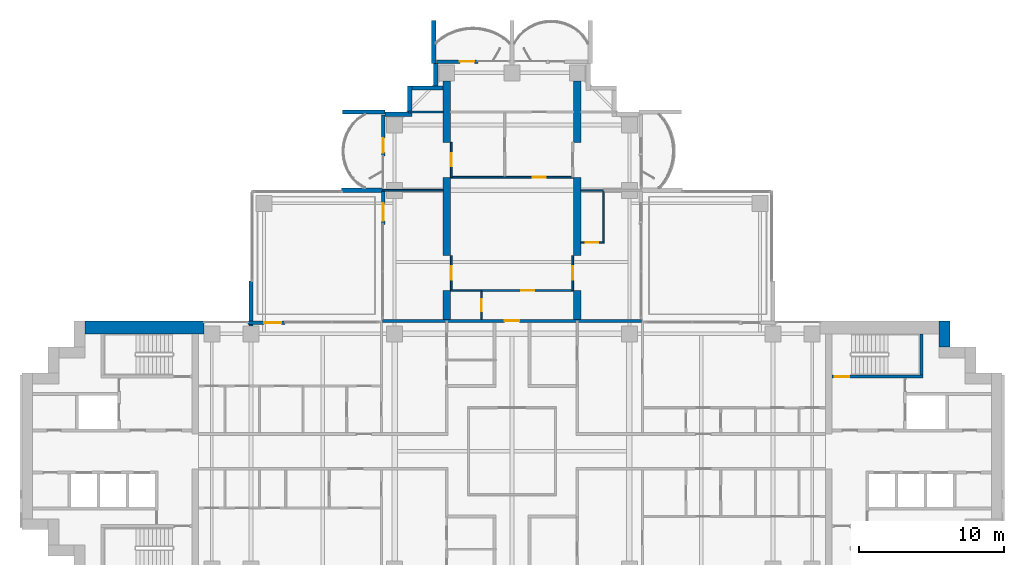
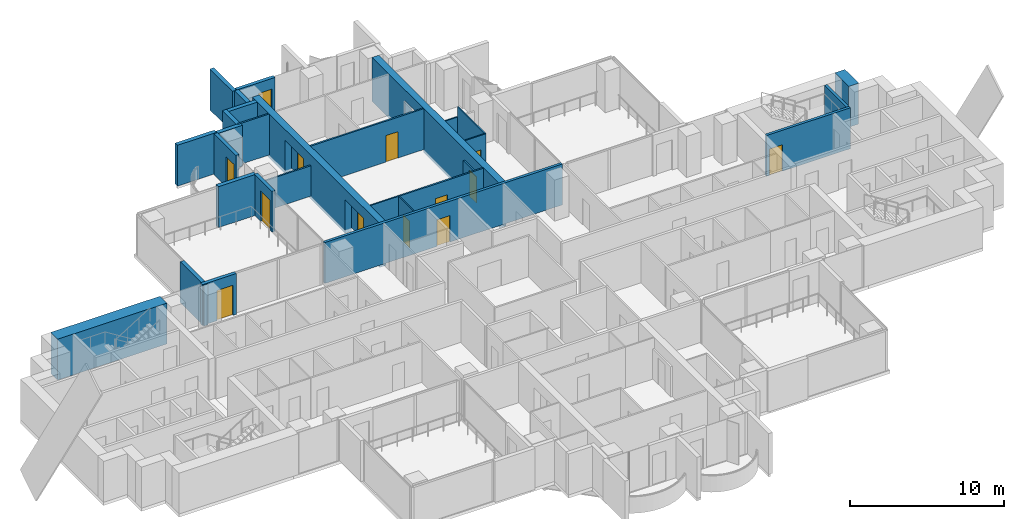
# One storey, part 13 of 18: 31 walls, 13 doors, 13 openings.
"""IFC4 building model written with IfcOpenShell, lengths in metres."""

from ifc_helpers import new_model, si_unit, direction, frame, frame_2d, origin, place, context, subcontext, project, spatial, polyline, rectangle, outline, extrude, material, layer, layer_set, material_profile, profile_set, type_object, element, fill, save


model = new_model("IFC4")

# Units and contexts
model_context = context("Model", 3, precision=1e-05, world=origin(), true_north=direction((0.0, 1.0)))
body_context = subcontext(model_context, "Body", "Model", "MODEL_VIEW")
ifc_project = project(units=[si_unit("LENGTHUNIT", "METRE"), si_unit("AREAUNIT", "SQUARE_METRE"), si_unit("VOLUMEUNIT", "CUBIC_METRE"), si_unit("PLANEANGLEUNIT", "RADIAN"), si_unit("MASSUNIT", "GRAM", prefix="KILO")], contexts=[model_context])

# Site, building, storey
site_placement = place(None, origin())
site = spatial("IfcSite", under=ifc_project, at=site_placement, CompositionType="ELEMENT")
building_placement = place(site_placement, origin())
building = spatial("IfcBuilding", under=site, at=building_placement, Name="Perihelion Cross Residences", CompositionType="ELEMENT")
storey_placement = place(building_placement, frame((0.0, 0.0, 140.89990234375)))
storey = spatial("IfcBuildingStorey", under=building, at=storey_placement, Name="L34", CompositionType="ELEMENT", Elevation=140.89990234375)

# Wall, opening, door
ifc_material_1 = material(Name="Plasterboard partition")
ifc_layer_1 = layer(ifc_material_1, 0.199951171875)
ifc_layer_set_1 = layer_set([ifc_layer_1], Name="Apartment separation wall 200")
wall_type_1 = type_object("IfcWallType", Name="Apartment separation wall 200", PredefinedType="PARTITIONING", material=ifc_layer_set_1)
wall_1_placement = place(storey_placement, frame((-8.919921875, 9.0, 0.0), z_axis=(0.0, 0.0, 1.0), x_axis=(1.0, 0.0, 0.0)))
wall_1 = element("IfcWall", 1, at=wall_1_placement, inside=storey, type_object=wall_type_1, Name="Partition L34 W021", PredefinedType="PARTITIONING", context=body_context, shape_type="SweptSolid", body=[
    extrude(rectangle(XDim=17.83984375, YDim=0.199951171875, at=frame_2d((8.919921875, 0.0))), origin(), (0.0, 0.0, 1.0), 3.25),
])
opening_1_placement = place(wall_1_placement, frame((8.419921875, 0.0, 0.0)))
opening_1 = element("IfcOpeningElement", 2, at=opening_1_placement, cuts=wall_1, Name="Opening L34.A32", PredefinedType="OPENING", context=body_context, shape_type="SweptSolid", body=[
    extrude(rectangle(XDim=1.0, YDim=2.10009765625, at=frame_2d((0.5, 1.050048828125))), frame((0.0, 0.10986328125, 0.0), z_axis=(0.0, -1.0, 0.0), x_axis=(1.0, 0.0, 0.0)), (0.0, 0.0, 1.0), 0.219970703125),
])
ifc_material_2 = material(Name="Timber door leaf", Category="wood")
door_type_1 = type_object("IfcDoorType", Name="Flat entrance door 1000 x 2100", OperationType="SINGLE_SWING_LEFT", PredefinedType="DOOR", material=ifc_material_2)
door_1_placement = place(opening_1_placement, origin())
door_1 = element("IfcDoor", 3, at=door_1_placement, inside=storey, type_object=door_type_1, Name="Door L34.A32", OperationType="SINGLE_SWING_RIGHT", OverallHeight=2.10009765625, OverallWidth=1.0, PredefinedType="DOOR", context=body_context, shape_type="SweptSolid", body=[
    extrude(rectangle(XDim=1.0, YDim=2.10009765625, at=frame_2d((0.5, 1.050048828125))), frame((0.0, 0.02490234375, 0.0), z_axis=(0.0, -1.0, 0.0), x_axis=(1.0, 0.0, 0.0)), (0.0, 0.0, 1.0), 0.050048828125),
])
fill(opening_1, door_1)

ifc_material_3 = material(Name="Concrete C30/37, bronze-clad", Category="concrete")
ifc_layer_2 = layer(ifc_material_3, 0.25)
ifc_layer_set_2 = layer_set([ifc_layer_2], Name="Bronze-clad pier wall 250")
wall_type_2 = type_object("IfcWallType", Name="Bronze-clad pier wall 250", PredefinedType="SOLIDWALL", material=ifc_layer_set_2)
wall_2_placement = place(storey_placement, frame((-2.35009765625, 26.875, 0.0), z_axis=(0.0, 0.0, 1.0), x_axis=(-1.0, 0.0, 0.0)))
wall_2 = element("IfcWall", 4, at=wall_2_placement, inside=storey, type_object=wall_type_2, Name="Wall FW1 L34 north tip north bay 2 pier", PredefinedType="SOLIDWALL", context=body_context, shape_type="SweptSolid", body=[
    extrude(rectangle(XDim=2.849853515625, YDim=0.25, at=frame_2d((1.4248046875, 0.0))), origin(), (0.0, 0.0, 1.0), 3.25),
])
opening_2_placement = place(wall_2_placement, frame((0.25, 0.0, 0.0)))
opening_2 = element("IfcOpeningElement", 5, at=opening_2_placement, cuts=wall_2, Name="Opening L34.E05", PredefinedType="OPENING", context=body_context, shape_type="SweptSolid", body=[
    extrude(rectangle(XDim=1.0, YDim=2.39990234375, at=frame_2d((0.5, 1.199951171875))), frame((0.0, 0.135009765625, 0.0), z_axis=(0.0, -1.0, 0.0), x_axis=(1.0, 0.0, 0.0)), (0.0, 0.0, 1.0), 0.27001953125),
])
ifc_material_4 = material(Name="Bronze anodised aluminium, glazed", Category="aluminium")
door_type_2 = type_object("IfcDoorType", Name="Balcony door 1000 x 2400", OperationType="NOTDEFINED", PredefinedType="DOOR", material=ifc_material_4)
door_2_placement = place(opening_2_placement, origin())
door_2 = element("IfcDoor", 6, at=door_2_placement, inside=storey, type_object=door_type_2, Name="Door L34.E05 north tip north bay 2", OperationType="SINGLE_SWING_RIGHT", OverallHeight=2.39990234375, OverallWidth=1.0, PredefinedType="DOOR", context=body_context, shape_type="SweptSolid", body=[
    extrude(rectangle(XDim=1.0, YDim=2.39990234375, at=frame_2d((0.5, 1.199951171875))), frame((0.0, 0.02490234375, 0.0), z_axis=(0.0, -1.0, 0.0), x_axis=(1.0, 0.0, 0.0)), (0.0, 0.0, 1.0), 0.050048828125),
])
fill(opening_2, door_2)

wall_3_placement = place(storey_placement, frame((-8.875, 23.199951171875, 0.0), z_axis=(0.0, 0.0, 1.0), x_axis=(0.0, -1.0, 0.0)))
wall_3 = element("IfcWall", 7, at=wall_3_placement, inside=storey, type_object=wall_type_2, Name="Wall FW1 L34 north side west bay 1 pier", PredefinedType="SOLIDWALL", context=body_context, shape_type="SweptSolid", body=[
    extrude(rectangle(XDim=2.849853515625, YDim=0.25, at=frame_2d((1.4248046875, 0.0))), origin(), (0.0, 0.0, 1.0), 3.25),
])
opening_3_placement = place(wall_3_placement, frame((1.60009765625, 0.0, 0.0)))
opening_3 = element("IfcOpeningElement", 8, at=opening_3_placement, cuts=wall_3, Name="Opening L34.E06", PredefinedType="OPENING", context=body_context, shape_type="SweptSolid", body=[
    extrude(rectangle(XDim=1.0, YDim=2.39990234375, at=frame_2d((0.5, 1.199951171875))), frame((0.0, 0.135009765625, 0.0), z_axis=(0.0, -1.0, 0.0), x_axis=(1.0, 0.0, 0.0)), (0.0, 0.0, 1.0), 0.27001953125),
])
door_3_placement = place(opening_3_placement, origin())
door_3 = element("IfcDoor", 9, at=door_3_placement, inside=storey, type_object=door_type_2, Name="Door L34.E06 north side west bay 1", OperationType="SINGLE_SWING_LEFT", OverallHeight=2.39990234375, OverallWidth=1.0, PredefinedType="DOOR", context=body_context, shape_type="SweptSolid", body=[
    extrude(rectangle(XDim=1.0, YDim=2.39990234375, at=frame_2d((0.5, 1.199951171875))), frame((0.0, 0.02490234375, 0.0), z_axis=(0.0, -1.0, 0.0), x_axis=(1.0, 0.0, 0.0)), (0.0, 0.0, 1.0), 0.050048828125),
])
fill(opening_3, door_3)

wall_4_placement = place(storey_placement, frame((-8.875, 17.93994140625, 0.0), z_axis=(0.0, 0.0, 1.0), x_axis=(0.0, -1.0, 0.0)))
wall_4 = element("IfcWall", 10, at=wall_4_placement, inside=storey, type_object=wall_type_2, Name="Wall FW1 L34 north side west bay 2 pier", PredefinedType="SOLIDWALL", context=body_context, shape_type="SweptSolid", body=[
    extrude(rectangle(XDim=2.2900390625, YDim=0.25, at=frame_2d((1.14501953125, 0.0))), origin(), (0.0, 0.0, 1.0), 3.25),
])
opening_4_placement = place(wall_4_placement, frame((0.840087890625, 0.0, 0.0)))
opening_4 = element("IfcOpeningElement", 11, at=opening_4_placement, cuts=wall_4, Name="Opening L34.E07", PredefinedType="OPENING", context=body_context, shape_type="SweptSolid", body=[
    extrude(rectangle(XDim=1.199951171875, YDim=2.39990234375, at=frame_2d((0.60009765625, 1.199951171875))), frame((0.0, 0.135009765625, 0.0), z_axis=(0.0, -1.0, 0.0), x_axis=(1.0, 0.0, 0.0)), (0.0, 0.0, 1.0), 0.27001953125),
])
ifc_material_5 = material(Name="Bronze anodised aluminium, glazed", Category="aluminium")
door_type_3 = type_object("IfcDoorType", Name="Balcony door 1200 x 2400", OperationType="NOTDEFINED", PredefinedType="DOOR", material=ifc_material_5)
door_4_placement = place(opening_4_placement, origin())
door_4 = element("IfcDoor", 12, at=door_4_placement, inside=storey, type_object=door_type_3, Name="Door L34.E07 north side west bay 2", OperationType="SINGLE_SWING_RIGHT", OverallHeight=2.39990234375, OverallWidth=1.199951171875, PredefinedType="DOOR", context=body_context, shape_type="SweptSolid", body=[
    extrude(rectangle(XDim=1.199951171875, YDim=2.39990234375, at=frame_2d((0.60009765625, 1.199951171875))), frame((0.0, 0.02490234375, 0.0), z_axis=(0.0, -1.0, 0.0), x_axis=(1.0, 0.0, 0.0)), (0.0, 0.0, 1.0), 0.050048828125),
])
fill(opening_4, door_4)

wall_5_placement = place(storey_placement, frame((-15.64990234375, 8.875, 0.0), z_axis=(0.0, 0.0, 1.0), x_axis=(-1.0, 0.0, 0.0)))
wall_5 = element("IfcWall", 13, at=wall_5_placement, inside=storey, type_object=wall_type_2, Name="Wall FW1 L34 west side north bay 1 pier", PredefinedType="SOLIDWALL", context=body_context, shape_type="SweptSolid", body=[
    extrude(rectangle(XDim=2.550048828125, YDim=0.25, at=frame_2d((1.27490234375, 0.0))), origin(), (0.0, 0.0, 1.0), 3.25),
])
opening_5_placement = place(wall_5_placement, frame((0.25, 0.0, 0.0)))
opening_5 = element("IfcOpeningElement", 14, at=opening_5_placement, cuts=wall_5, Name="Opening L34.E08", PredefinedType="OPENING", context=body_context, shape_type="SweptSolid", body=[
    extrude(rectangle(XDim=1.199951171875, YDim=2.39990234375, at=frame_2d((0.60009765625, 1.199951171875))), frame((0.0, 0.135009765625, 0.0), z_axis=(0.0, -1.0, 0.0), x_axis=(1.0, 0.0, 0.0)), (0.0, 0.0, 1.0), 0.27001953125),
])
door_5_placement = place(opening_5_placement, origin())
door_5 = element("IfcDoor", 15, at=door_5_placement, inside=storey, type_object=door_type_3, Name="Door L34.E08 west side north bay 1", OperationType="SINGLE_SWING_LEFT", OverallHeight=2.39990234375, OverallWidth=1.199951171875, PredefinedType="DOOR", context=body_context, shape_type="SweptSolid", body=[
    extrude(rectangle(XDim=1.199951171875, YDim=2.39990234375, at=frame_2d((0.60009765625, 1.199951171875))), frame((0.0, 0.02490234375, 0.0), z_axis=(0.0, -1.0, 0.0), x_axis=(1.0, 0.0, 0.0)), (0.0, 0.0, 1.0), 0.050048828125),
])
fill(opening_5, door_5)

# Walls
ifc_material_6 = material(Name="Concrete C30/37, bronze-clad", Category="concrete")
ifc_layer_3 = layer(ifc_material_6, 0.300048828125)
ifc_layer_set_3 = layer_set([ifc_layer_3], Name="Bronze-clad serration wall 300")
wall_type_3 = type_object("IfcWallType", Name="Bronze-clad serration wall 300", PredefinedType="SOLIDWALL", material=ifc_layer_set_3)
wall_6_placement = place(storey_placement, frame((-5.25, 26.75, 0.0), z_axis=(0.0, 0.0, 1.0), x_axis=(0.0, -1.0, 0.0)))
element("IfcWall", 16, at=wall_6_placement, inside=storey, type_object=wall_type_3, Name="Wall SR1 L34 north corner north-west 1", PredefinedType="SOLIDWALL", context=body_context, shape_type="SweptSolid", body=[
    extrude(rectangle(XDim=1.550048828125, YDim=0.300048828125, at=frame_2d((0.77490234375, 0.0))), origin(), (0.0, 0.0, 1.0), 3.25),
])
wall_7_placement = place(storey_placement, frame((-4.75, 25.050048828125, 0.0), z_axis=(0.0, 0.0, 1.0), x_axis=(-1.0, 0.0, 0.0)))
element("IfcWall", 17, at=wall_7_placement, inside=storey, type_object=wall_type_3, Name="Wall SR1 L34 north corner north-west 2", PredefinedType="SOLIDWALL", context=body_context, shape_type="SweptSolid", body=[
    extrude(rectangle(XDim=2.14990234375, YDim=0.300048828125, at=frame_2d((1.074951171875, 0.0))), origin(), (0.0, 0.0, 1.0), 3.25),
])
wall_8_placement = place(storey_placement, frame((-7.050048828125, 25.199951171875, 0.0), z_axis=(0.0, 0.0, 1.0), x_axis=(0.0, -1.0, 0.0)))
element("IfcWall", 18, at=wall_8_placement, inside=storey, type_object=wall_type_3, Name="Wall SR1 L34 north corner north-west 3", PredefinedType="SOLIDWALL", context=body_context, shape_type="SweptSolid", body=[
    extrude(rectangle(XDim=1.800048828125, YDim=0.300048828125, at=frame_2d((0.89990234375, 0.0))), origin(), (0.0, 0.0, 1.0), 3.25),
])
wall_9_placement = place(storey_placement, frame((-6.89990234375, 23.25, 0.0), z_axis=(0.0, 0.0, 1.0), x_axis=(-1.0, 0.0, 0.0)))
element("IfcWall", 19, at=wall_9_placement, inside=storey, type_object=wall_type_3, Name="Wall SR1 L34 north corner north-west 4", PredefinedType="SOLIDWALL", context=body_context, shape_type="SweptSolid", body=[
    extrude(rectangle(XDim=1.85009765625, YDim=0.300048828125, at=frame_2d((0.925048828125, 0.0))), origin(), (0.0, 0.0, 1.0), 3.25),
])
ifc_material_7 = material(Name="Concrete C60/75", Category="concrete")
ifc_layer_4 = layer(ifc_material_7, 0.75)
ifc_layer_set_4 = layer_set([ifc_layer_4], Name="Core wall, outer 750")
wall_type_4 = type_object("IfcWallType", Name="Core wall, outer 750", PredefinedType="SHEAR", material=ifc_layer_set_4)
wall_10_placement = place(storey_placement, frame((29.824951171875, 7.199951171875, 0.0), z_axis=(0.0, 0.0, 1.0), x_axis=(0.0, 1.0, 0.0)))
element("IfcWall", 20, at=wall_10_placement, inside=storey, type_object=wall_type_4, Name="East core core wall, outer", PredefinedType="SHEAR", context=body_context, shape_type="SweptSolid", body=[
    extrude(rectangle(XDim=1.800048828125, YDim=0.75, at=frame_2d((0.89990234375, 0.0))), origin(), (0.0, 0.0, 1.0), 3.25),
])
ifc_material_8 = material(Name="Concrete C60/75", Category="concrete")
ifc_layer_5 = layer(ifc_material_8, 0.89990234375)
ifc_layer_set_5 = layer_set([ifc_layer_5], Name="Core wall, outer 900")
wall_type_5 = type_object("IfcWallType", Name="Core wall, outer 900", PredefinedType="SHEAR", material=ifc_layer_set_5)
wall_11_placement = place(storey_placement, frame((-29.449951171875, 8.550048828125, 0.0), z_axis=(0.0, 0.0, 1.0), x_axis=(1.0, 0.0, 0.0)))
element("IfcWall", 21, at=wall_11_placement, inside=storey, type_object=wall_type_5, Name="West core core wall, outer", PredefinedType="SHEAR", context=body_context, shape_type="SweptSolid", body=[
    extrude(rectangle(XDim=8.199951171875, YDim=0.89990234375, at=frame_2d((4.10009765625, 0.0))), origin(), (0.0, 0.0, 1.0), 3.25),
])

# Wall, opening, door
ifc_material_9 = material(Name="Plasterboard partition")
ifc_layer_6 = layer(ifc_material_9, 0.1201171875)
ifc_layer_set_6 = layer_set([ifc_layer_6], Name="Infill panel 120")
wall_type_6 = type_object("IfcWallType", Name="Infill panel 120", PredefinedType="PARTITIONING", material=ifc_layer_set_6)
wall_12_placement = place(storey_placement, frame((4.18994140625, 11.10009765625, 0.0), z_axis=(0.0, 0.0, 1.0), x_axis=(0.0, 1.0, 0.0)))
wall_12 = element("IfcWall", 22, at=wall_12_placement, inside=storey, type_object=wall_type_6, Name="Partition L34 WI01", PredefinedType="PARTITIONING", context=body_context, shape_type="SweptSolid", body=[
    extrude(rectangle(XDim=2.39990234375, YDim=0.1201171875, at=frame_2d((1.199951171875, 0.0))), origin(), (0.0, 0.0, 1.0), 2.400146484375),
])
opening_6_placement = place(wall_12_placement, frame((0.75, 0.0, 0.0)))
opening_6 = element("IfcOpeningElement", 23, at=opening_6_placement, cuts=wall_12, Name="Opening L34.A50", PredefinedType="OPENING", context=body_context, shape_type="SweptSolid", body=[
    extrude(rectangle(XDim=0.89990234375, YDim=2.10009765625, at=frame_2d((0.449951171875, 1.050048828125))), frame((0.0, 0.070068359375, 0.0), z_axis=(0.0, -1.0, 0.0), x_axis=(1.0, 0.0, 0.0)), (0.0, 0.0, 1.0), 0.14013671875),
])
ifc_material_10 = material(Name="Timber door leaf", Category="wood")
door_type_4 = type_object("IfcDoorType", Name="Interior room door 900 x 2100", OperationType="SINGLE_SWING_LEFT", PredefinedType="DOOR", material=ifc_material_10)
door_6_placement = place(opening_6_placement, origin())
door_6 = element("IfcDoor", 24, at=door_6_placement, inside=storey, type_object=door_type_4, Name="Door L34.A50", OperationType="SINGLE_SWING_RIGHT", OverallHeight=2.10009765625, OverallWidth=0.89990234375, PredefinedType="DOOR", context=body_context, shape_type="SweptSolid", body=[
    extrude(rectangle(XDim=0.89990234375, YDim=2.10009765625, at=frame_2d((0.449951171875, 1.050048828125))), frame((0.0, 0.02490234375, 0.0), z_axis=(0.0, -1.0, 0.0), x_axis=(1.0, 0.0, 0.0)), (0.0, 0.0, 1.0), 0.050048828125),
])
fill(opening_6, door_6)

wall_13_placement = place(storey_placement, frame((-4.18994140625, 11.10009765625, 0.0), z_axis=(0.0, 0.0, 1.0), x_axis=(0.0, 1.0, 0.0)))
wall_13 = element("IfcWall", 25, at=wall_13_placement, inside=storey, type_object=wall_type_6, Name="Partition L34 WI03", PredefinedType="PARTITIONING", context=body_context, shape_type="SweptSolid", body=[
    extrude(rectangle(XDim=2.39990234375, YDim=0.1201171875, at=frame_2d((1.199951171875, 0.0))), origin(), (0.0, 0.0, 1.0), 2.400146484375),
])
opening_7_placement = place(wall_13_placement, frame((0.75, 0.0, 0.0)))
opening_7 = element("IfcOpeningElement", 26, at=opening_7_placement, cuts=wall_13, Name="Opening L34.A52", PredefinedType="OPENING", context=body_context, shape_type="SweptSolid", body=[
    extrude(rectangle(XDim=0.89990234375, YDim=2.10009765625, at=frame_2d((0.449951171875, 1.050048828125))), frame((0.0, 0.070068359375, 0.0), z_axis=(0.0, -1.0, 0.0), x_axis=(1.0, 0.0, 0.0)), (0.0, 0.0, 1.0), 0.14013671875),
])
door_7_placement = place(opening_7_placement, origin())
door_7 = element("IfcDoor", 27, at=door_7_placement, inside=storey, type_object=door_type_4, Name="Door L34.A52", OperationType="SINGLE_SWING_LEFT", OverallHeight=2.10009765625, OverallWidth=0.89990234375, PredefinedType="DOOR", context=body_context, shape_type="SweptSolid", body=[
    extrude(rectangle(XDim=0.89990234375, YDim=2.10009765625, at=frame_2d((0.449951171875, 1.050048828125))), frame((0.0, 0.02490234375, 0.0), z_axis=(0.0, -1.0, 0.0), x_axis=(1.0, 0.0, 0.0)), (0.0, 0.0, 1.0), 0.050048828125),
])
fill(opening_7, door_7)

wall_14_placement = place(storey_placement, frame((-4.18994140625, 18.89990234375, 0.0), z_axis=(0.0, 0.0, 1.0), x_axis=(0.0, 1.0, 0.0)))
wall_14 = element("IfcWall", 28, at=wall_14_placement, inside=storey, type_object=wall_type_6, Name="Partition L34 WI04", PredefinedType="PARTITIONING", context=body_context, shape_type="SweptSolid", body=[
    extrude(rectangle(XDim=2.400146484375, YDim=0.1201171875, at=frame_2d((1.2001953125, 0.0))), origin(), (0.0, 0.0, 1.0), 2.400146484375),
])
opening_8_placement = place(wall_14_placement, frame((0.75, 0.0, 0.0)))
opening_8 = element("IfcOpeningElement", 29, at=opening_8_placement, cuts=wall_14, Name="Opening L34.A53", PredefinedType="OPENING", context=body_context, shape_type="SweptSolid", body=[
    extrude(rectangle(XDim=0.89990234375, YDim=2.10009765625, at=frame_2d((0.449951171875, 1.050048828125))), frame((0.0, 0.070068359375, 0.0), z_axis=(0.0, -1.0, 0.0), x_axis=(1.0, 0.0, 0.0)), (0.0, 0.0, 1.0), 0.14013671875),
])
door_8_placement = place(opening_8_placement, origin())
door_8 = element("IfcDoor", 30, at=door_8_placement, inside=storey, type_object=door_type_4, Name="Door L34.A53", OperationType="SINGLE_SWING_RIGHT", OverallHeight=2.10009765625, OverallWidth=0.89990234375, PredefinedType="DOOR", context=body_context, shape_type="SweptSolid", body=[
    extrude(rectangle(XDim=0.89990234375, YDim=2.10009765625, at=frame_2d((0.449951171875, 1.050048828125))), frame((0.0, 0.02490234375, 0.0), z_axis=(0.0, -1.0, 0.0), x_axis=(1.0, 0.0, 0.0)), (0.0, 0.0, 1.0), 0.050048828125),
])
fill(opening_8, door_8)

ifc_material_11 = material(Name="Plasterboard partition")
ifc_layer_7 = layer(ifc_material_11, 0.1201171875)
ifc_layer_set_7 = layer_set([ifc_layer_7], Name="Partition wall 120")
wall_type_7 = type_object("IfcWallType", Name="Partition wall 120", PredefinedType="PARTITIONING", material=ifc_layer_set_7)
wall_15_placement = place(storey_placement, frame((-2.10009765625, 11.10009765625, 0.0), z_axis=(0.0, 0.0, 1.0), x_axis=(1.0, 0.0, 0.0)))
wall_15 = element("IfcWall", 31, at=wall_15_placement, inside=storey, type_object=wall_type_7, Name="Partition L34 W065", PredefinedType="PARTITIONING", context=body_context, shape_type="SweptSolid", body=[
    extrude(rectangle(XDim=6.35009765625, YDim=0.1201171875, at=frame_2d((3.175048828125, 0.0))), origin(), (0.0, 0.0, 1.0), 3.25),
])
opening_9_placement = place(wall_15_placement, frame((2.72509765625, 0.0, 0.0)))
opening_9 = element("IfcOpeningElement", 32, at=opening_9_placement, cuts=wall_15, Name="Opening L34.A34", PredefinedType="OPENING", context=body_context, shape_type="SweptSolid", body=[
    extrude(rectangle(XDim=0.89990234375, YDim=2.10009765625, at=frame_2d((0.449951171875, 1.050048828125))), frame((0.0, 0.070068359375, 0.0), z_axis=(0.0, -1.0, 0.0), x_axis=(1.0, 0.0, 0.0)), (0.0, 0.0, 1.0), 0.14013671875),
])
door_9_placement = place(opening_9_placement, origin())
door_9 = element("IfcDoor", 33, at=door_9_placement, inside=storey, type_object=door_type_4, Name="Door L34.A34", OperationType="SINGLE_SWING_RIGHT", OverallHeight=2.10009765625, OverallWidth=0.89990234375, PredefinedType="DOOR", context=body_context, shape_type="SweptSolid", body=[
    extrude(rectangle(XDim=0.89990234375, YDim=2.10009765625, at=frame_2d((0.449951171875, 1.050048828125))), frame((0.0, 0.02490234375, 0.0), z_axis=(0.0, -1.0, 0.0), x_axis=(1.0, 0.0, 0.0)), (0.0, 0.0, 1.0), 0.050048828125),
])
fill(opening_9, door_9)

wall_16_placement = place(storey_placement, frame((-4.25, 18.89990234375, 0.0), z_axis=(0.0, 0.0, 1.0), x_axis=(1.0, 0.0, 0.0)))
wall_16 = element("IfcWall", 34, at=wall_16_placement, inside=storey, type_object=wall_type_7, Name="Partition L34 W067", PredefinedType="PARTITIONING", context=body_context, shape_type="SweptSolid", body=[
    extrude(rectangle(XDim=8.5, YDim=0.1201171875, at=frame_2d((4.25, 0.0))), origin(), (0.0, 0.0, 1.0), 3.25),
])
opening_10_placement = place(wall_16_placement, frame((5.675048828125, 0.0, 0.0)))
opening_10 = element("IfcOpeningElement", 35, at=opening_10_placement, cuts=wall_16, Name="Opening L34.A35", PredefinedType="OPENING", context=body_context, shape_type="SweptSolid", body=[
    extrude(rectangle(XDim=0.89990234375, YDim=2.10009765625, at=frame_2d((0.449951171875, 1.050048828125))), frame((0.0, 0.070068359375, 0.0), z_axis=(0.0, -1.0, 0.0), x_axis=(1.0, 0.0, 0.0)), (0.0, 0.0, 1.0), 0.14013671875),
])
door_10_placement = place(opening_10_placement, origin())
door_10 = element("IfcDoor", 36, at=door_10_placement, inside=storey, type_object=door_type_4, Name="Door L34.A35", OperationType="SINGLE_SWING_RIGHT", OverallHeight=2.10009765625, OverallWidth=0.89990234375, PredefinedType="DOOR", context=body_context, shape_type="SweptSolid", body=[
    extrude(rectangle(XDim=0.89990234375, YDim=2.10009765625, at=frame_2d((0.449951171875, 1.050048828125))), frame((0.0, 0.02490234375, 0.0), z_axis=(0.0, -1.0, 0.0), x_axis=(1.0, 0.0, 0.0)), (0.0, 0.0, 1.0), 0.050048828125),
])
fill(opening_10, door_10)

# Walls
wall_17_placement = place(storey_placement, frame((-8.919921875, 18.0, 0.0), z_axis=(0.0, 0.0, 1.0), x_axis=(1.0, 0.0, 0.0)))
element("IfcWall", 37, at=wall_17_placement, inside=storey, type_object=wall_type_7, Name="Partition L34 W075", PredefinedType="PARTITIONING", context=body_context, shape_type="SweptSolid", body=[
    extrude(rectangle(XDim=4.169921875, YDim=0.1201171875, at=frame_2d((2.0849609375, 0.0))), origin(), (0.0, 0.0, 1.0), 2.4140625),
])
wall_18_placement = place(storey_placement, frame((-7.1201171875, 23.39990234375, 0.0), z_axis=(0.0, 0.0, 1.0), x_axis=(1.0, 0.0, 0.0)))
element("IfcWall", 38, at=wall_18_placement, inside=storey, type_object=wall_type_7, Name="Partition L34 W076", PredefinedType="PARTITIONING", context=body_context, shape_type="SweptSolid", body=[
    extrude(rectangle(XDim=2.3701171875, YDim=0.1201171875, at=frame_2d((1.18505859375, 0.0))), origin(), (0.0, 0.0, 1.0), 3.25),
])
ifc_material_12 = material(Name="Precast concrete C50/60", Category="concrete")
ifc_layer_8 = layer(ifc_material_12, 0.300048828125)
ifc_layer_set_8 = layer_set([ifc_layer_8], Name="Precast concrete C50/60 blade wall 300")
wall_type_8 = type_object("IfcWallType", Name="Precast concrete C50/60 blade wall 300", PredefinedType="SOLIDWALL", material=ifc_layer_set_8)
wall_19_placement = place(storey_placement, frame((-18.0, 8.64990234375, 0.0), z_axis=(0.0, 0.0, 1.0), x_axis=(0.0, 1.0, 0.0)))
element("IfcWall", 39, at=wall_19_placement, inside=storey, type_object=wall_type_8, Name="Wall BL1 L34 no. 2", PredefinedType="SOLIDWALL", context=body_context, shape_type="SweptSolid", body=[
    extrude(rectangle(XDim=3.090087890625, YDim=0.300048828125, at=frame_2d((1.544921875, 0.0))), origin(), (0.0, 0.0, 1.0), 3.25),
])
wall_20_placement = place(storey_placement, frame((-8.919921875, 18.0, 0.0), z_axis=(0.0, 0.0, 1.0), x_axis=(-1.0, 0.0, 0.0)))
element("IfcWall", 40, at=wall_20_placement, inside=storey, type_object=wall_type_8, Name="Wall BL1 L34 no. 6", PredefinedType="SOLIDWALL", context=body_context, shape_type="SweptSolid", body=[
    extrude(rectangle(XDim=2.820068359375, YDim=0.300048828125, at=frame_2d((1.41015625, 0.0))), origin(), (0.0, 0.0, 1.0), 3.25),
])
for number, where, z_axis, x_axis, name in (
    (41, (-8.75, 23.39990234375, 0.0), (0.0, 0.0, 1.0), (-1.0, 0.0, 0.0), "Wall BL1 L34 no. 7"),
    (42, (-5.39990234375, 26.75, 0.0), (0.0, 0.0, 1.0), (0.0, 1.0, 0.0), "Wall BL1 L34 no. 4"),
):
    element("IfcWall", number, at=place(storey_placement, frame(where, z_axis=z_axis, x_axis=x_axis)), inside=storey, type_object=wall_type_8, Name=name, PredefinedType="SOLIDWALL", context=body_context, shape_type="SweptSolid", body=[
        extrude(rectangle(XDim=2.949951171875, YDim=0.300048828125, at=frame_2d((1.47509765625, 0.0))), origin(), (0.0, 0.0, 1.0), 3.25),
    ])

# Wall, opening, door
ifc_material_13 = material(Name="Concrete C50/60", Category="concrete")
ifc_layer_9 = layer(ifc_material_13, 0.199951171875)
ifc_layer_set_9 = layer_set([ifc_layer_9], Name="Stair wall 200")
wall_type_9 = type_object("IfcWallType", Name="Stair wall 200", PredefinedType="SOLIDWALL", material=ifc_layer_set_9)
wall_21_placement = place(storey_placement, frame((22.050048828125, 5.14990234375, 0.0), z_axis=(0.0, 0.0, 1.0), x_axis=(1.0, 0.0, 0.0)))
wall_21 = element("IfcWall", 43, at=wall_21_placement, inside=storey, type_object=wall_type_9, Name="East core stair wall", PredefinedType="SOLIDWALL", context=body_context, shape_type="SweptSolid", body=[
    extrude(rectangle(XDim=6.300048828125, YDim=0.199951171875, at=frame_2d((3.14990234375, 0.0))), origin(), (0.0, 0.0, 1.0), 3.25),
])
opening_11_placement = place(wall_21_placement, frame((0.199951171875, 0.0, 0.0)))
opening_11 = element("IfcOpeningElement", 44, at=opening_11_placement, cuts=wall_21, Name="Opening L34.C06", PredefinedType="OPENING", context=body_context, shape_type="SweptSolid", body=[
    extrude(rectangle(XDim=1.0, YDim=2.10009765625, at=frame_2d((0.5, 1.050048828125))), frame((0.0, 0.10986328125, 0.0), z_axis=(0.0, -1.0, 0.0), x_axis=(1.0, 0.0, 0.0)), (0.0, 0.0, 1.0), 0.219970703125),
])
ifc_material_14 = material(Name="Steel, powder coated", Category="steel")
door_type_5 = type_object("IfcDoorType", Name="Stair door 1000", OperationType="SINGLE_SWING_LEFT", PredefinedType="DOOR", material=ifc_material_14)
door_11_placement = place(opening_11_placement, origin())
door_11 = element("IfcDoor", 45, at=door_11_placement, inside=storey, type_object=door_type_5, Name="East core stair door", OperationType="SINGLE_SWING_LEFT", OverallHeight=2.10009765625, OverallWidth=1.0, PredefinedType="DOOR", context=body_context, shape_type="SweptSolid", body=[
    extrude(rectangle(XDim=1.0, YDim=2.10009765625, at=frame_2d((0.5, 1.050048828125))), frame((0.0, 0.02490234375, 0.0), z_axis=(0.0, -1.0, 0.0), x_axis=(1.0, 0.0, 0.0)), (0.0, 0.0, 1.0), 0.050048828125),
])
fill(opening_11, door_11)

# Walls
wall_22_placement = place(storey_placement, frame((28.25, 5.25, 0.0), z_axis=(0.0, 0.0, 1.0), x_axis=(0.0, 1.0, 0.0)))
element("IfcWall", 46, at=wall_22_placement, inside=storey, type_object=wall_type_9, Name="East core stair wall", PredefinedType="SOLIDWALL", context=body_context, shape_type="SweptSolid", body=[
    extrude(rectangle(XDim=2.85009765625, YDim=0.199951171875, at=frame_2d((1.425048828125, 0.0))), origin(), (0.0, 0.0, 1.0), 3.25),
])
ifc_material_15 = material(Name="Concrete C60/75", Category="concrete")
ifc_material_profile = material_profile(ifc_material_15, outline(polyline([(0.0, 0.0), (2.10009765625, 0.0), (2.10009765625, 2.64990234375), (4.5, 2.64990234375), (4.5, 0.0), (9.89990234375, 0.0), (9.89990234375, 2.64990234375), (12.300048828125, 2.64990234375), (12.300048828125, 0.0), (16.550048828125, 0.0), (16.550048828125, 3.5), (0.0, 3.5), (0.0, 0.0)])), Name="Tip spine wall")
ifc_profile_set = profile_set([ifc_material_profile], Name="Concrete C60/75")
wall_type_10 = type_object("IfcWallType", Name="Tip spine wall 500 with 2 door openings 16550 long 3500 high concrete C60/75", PredefinedType="SHEAR", material=ifc_profile_set)
for number, where, z_axis, x_axis, name in (
    (47, (-4.75, 9.0, -0.25), (1.0, 0.0, 0.0), (0.0, 1.0, 0.0), "Shear wall SW34 L34 north west"),
    (48, (4.25, 9.0, -0.25), (1.0, 0.0, 0.0), (0.0, 1.0, 0.0), "Shear wall SW34 L34 north east"),
):
    element("IfcWall", number, at=place(storey_placement, frame(where, z_axis=z_axis, x_axis=x_axis)), inside=storey, type_object=wall_type_10, Name=name, PredefinedType="SHEAR", context=body_context, shape_type="SweptSolid", body=[
        extrude(outline(polyline([(0.0, 0.0), (2.10009765625, 0.0), (2.10009765625, 2.64990234375), (4.5, 2.64990234375), (4.5, 0.0), (9.89990234375, 0.0), (9.89990234375, 2.64990234375), (12.300048828125, 2.64990234375), (12.300048828125, 0.0), (16.550048828125, 0.0), (16.550048828125, 3.5), (0.0, 3.5), (0.0, 0.0)])), origin(), (0.0, 0.0, 1.0), 0.5),
    ])

# Wall, opening, door
ifc_material_16 = material(Name="Plasterboard partition")
ifc_layer_10 = layer(ifc_material_16, 0.10009765625)
ifc_layer_set_10 = layer_set([ifc_layer_10], Name="Wet room wall 100")
wall_type_11 = type_object("IfcWallType", Name="Wet room wall 100", PredefinedType="PARTITIONING", material=ifc_layer_set_10)
wall_23_placement = place(storey_placement, frame((-2.10009765625, 9.10009765625, 0.0), z_axis=(0.0, 0.0, 1.0), x_axis=(0.0, 1.0, 0.0)))
wall_23 = element("IfcWall", 49, at=wall_23_placement, inside=storey, type_object=wall_type_11, Name="Partition L34 W064", PredefinedType="PARTITIONING", context=body_context, shape_type="SweptSolid", body=[
    extrude(rectangle(XDim=1.93994140625, YDim=0.10009765625, at=frame_2d((0.969970703125, 0.0))), origin(), (0.0, 0.0, 1.0), 3.25),
])
opening_12_placement = place(wall_23_placement, frame((0.544921875, 0.0, 0.0)))
opening_12 = element("IfcOpeningElement", 50, at=opening_12_placement, cuts=wall_23, Name="Opening L34.A33", PredefinedType="OPENING", context=body_context, shape_type="SweptSolid", body=[
    extrude(rectangle(XDim=0.85009765625, YDim=2.10009765625, at=frame_2d((0.425048828125, 1.050048828125))), frame((0.0, 0.06005859375, 0.0), z_axis=(0.0, -1.0, 0.0), x_axis=(1.0, 0.0, 0.0)), (0.0, 0.0, 1.0), 0.1201171875),
])
ifc_material_17 = material(Name="Timber door leaf", Category="wood")
door_type_6 = type_object("IfcDoorType", Name="Interior bathroom door 850 x 2100", OperationType="SINGLE_SWING_LEFT", PredefinedType="DOOR", material=ifc_material_17)
door_12_placement = place(opening_12_placement, origin())
door_12 = element("IfcDoor", 51, at=door_12_placement, inside=storey, type_object=door_type_6, Name="Door L34.A33", OperationType="SINGLE_SWING_LEFT", OverallHeight=2.10009765625, OverallWidth=0.85009765625, PredefinedType="DOOR", context=body_context, shape_type="SweptSolid", body=[
    extrude(rectangle(XDim=0.85009765625, YDim=2.10009765625, at=frame_2d((0.425048828125, 1.050048828125))), frame((0.0, 0.02490234375, 0.0), z_axis=(0.0, -1.0, 0.0), x_axis=(1.0, 0.0, 0.0)), (0.0, 0.0, 1.0), 0.050048828125),
])
fill(opening_12, door_12)

# Wall
wall_24_placement = place(storey_placement, frame((-4.25, 11.10009765625, 0.0), z_axis=(0.0, 0.0, 1.0), x_axis=(1.0, 0.0, 0.0)))
element("IfcWall", 52, at=wall_24_placement, inside=storey, type_object=wall_type_11, Name="Partition L34 W066", PredefinedType="PARTITIONING", context=body_context, shape_type="SweptSolid", body=[
    extrude(rectangle(XDim=2.14990234375, YDim=0.10009765625, at=frame_2d((1.074951171875, 0.0))), origin(), (0.0, 0.0, 1.0), 3.25),
])

# Wall, opening, door
wall_25_placement = place(storey_placement, frame((4.75, 14.39990234375, 0.0), z_axis=(0.0, 0.0, 1.0), x_axis=(1.0, 0.0, 0.0)))
wall_25 = element("IfcWall", 53, at=wall_25_placement, inside=storey, type_object=wall_type_11, Name="Partition L34 W070", PredefinedType="PARTITIONING", context=body_context, shape_type="SweptSolid", body=[
    extrude(rectangle(XDim=1.60009765625, YDim=0.10009765625, at=frame_2d((0.800048828125, 0.0))), origin(), (0.0, 0.0, 1.0), 3.25),
])
opening_13_placement = place(wall_25_placement, frame((0.35009765625, 0.0, 0.0)))
opening_13 = element("IfcOpeningElement", 54, at=opening_13_placement, cuts=wall_25, Name="Opening L34.A38", PredefinedType="OPENING", context=body_context, shape_type="SweptSolid", body=[
    extrude(rectangle(XDim=0.85009765625, YDim=2.10009765625, at=frame_2d((0.425048828125, 1.050048828125))), frame((0.0, 0.06005859375, 0.0), z_axis=(0.0, -1.0, 0.0), x_axis=(1.0, 0.0, 0.0)), (0.0, 0.0, 1.0), 0.1201171875),
])
door_13_placement = place(opening_13_placement, origin())
door_13 = element("IfcDoor", 55, at=door_13_placement, inside=storey, type_object=door_type_6, Name="Door L34.A38", OperationType="SINGLE_SWING_RIGHT", OverallHeight=2.10009765625, OverallWidth=0.85009765625, PredefinedType="DOOR", context=body_context, shape_type="SweptSolid", body=[
    extrude(rectangle(XDim=0.85009765625, YDim=2.10009765625, at=frame_2d((0.425048828125, 1.050048828125))), frame((0.0, 0.02490234375, 0.0), z_axis=(0.0, -1.0, 0.0), x_axis=(1.0, 0.0, 0.0)), (0.0, 0.0, 1.0), 0.050048828125),
])
fill(opening_13, door_13)

# Walls
wall_26_placement = place(storey_placement, frame((6.300048828125, 14.449951171875, 0.0), z_axis=(0.0, 0.0, 1.0), x_axis=(0.0, 1.0, 0.0)))
element("IfcWall", 56, at=wall_26_placement, inside=storey, type_object=wall_type_11, Name="Partition L34 W071", PredefinedType="PARTITIONING", context=body_context, shape_type="SweptSolid", body=[
    extrude(rectangle(XDim=3.489990234375, YDim=0.10009765625, at=frame_2d((1.7451171875, 0.0))), origin(), (0.0, 0.0, 1.0), 3.25),
])
wall_27_placement = place(storey_placement, frame((4.75, 18.0, 0.0), z_axis=(0.0, 0.0, 1.0), x_axis=(1.0, 0.0, 0.0)))
element("IfcWall", 57, at=wall_27_placement, inside=storey, type_object=wall_type_11, Name="Partition L34 W073", PredefinedType="PARTITIONING", context=body_context, shape_type="SweptSolid", body=[
    extrude(rectangle(XDim=1.550048828125, YDim=0.10009765625, at=frame_2d((0.77490234375, 0.0))), origin(), (0.0, 0.0, 1.0), 2.4140625),
])

save(model, "model.ifc")
